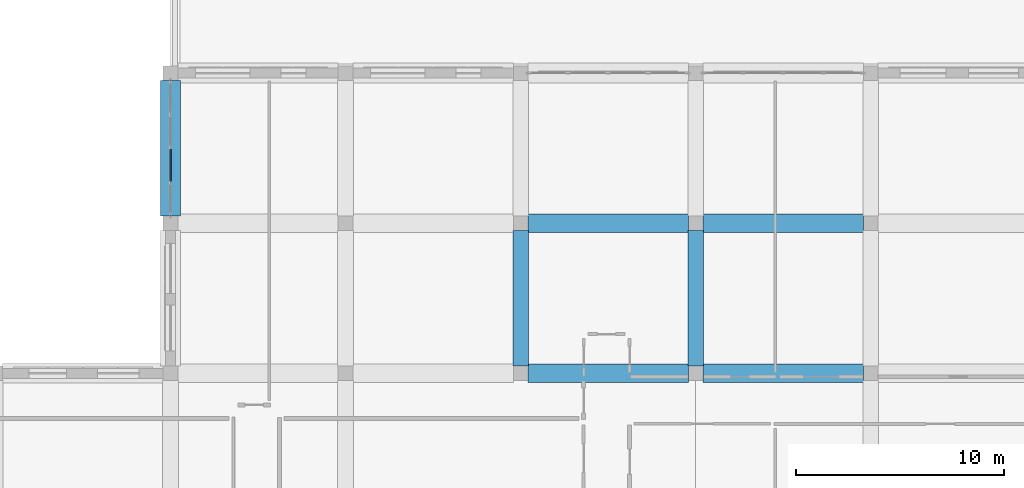
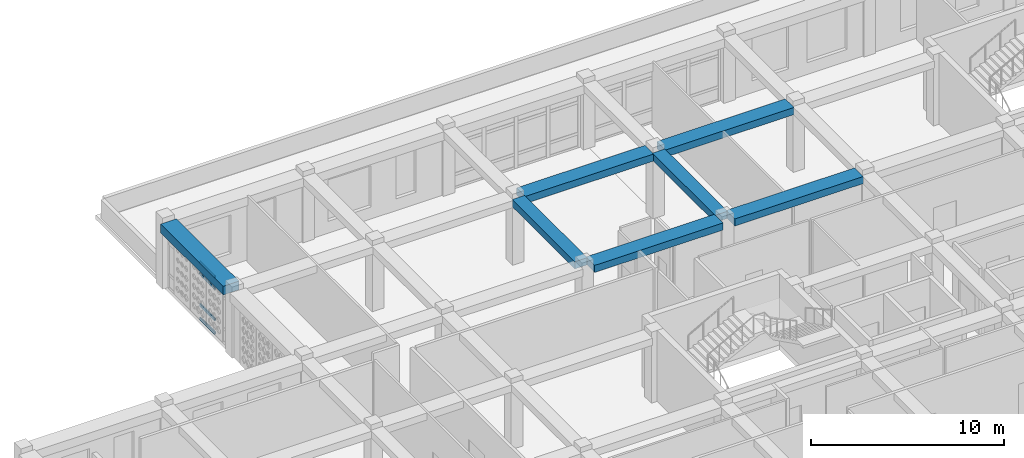
# One storey, part 30 of 100: 7 beams, 4 members, 1 element without a shape of its own.
"""IFC4 building model written with IfcOpenShell, lengths in metres."""

from ifc_helpers import new_model, si_unit, derived_unit, direction, frame, origin, origin_2d, place, context, subcontext, project, spatial, rectangle, hollow_rectangle, extrude, material, material_profile, profile_set, type_object, element, aggregate, save


model = new_model("IFC4")

# Units and contexts
model_context = context("Model", 3, precision=1e-05, world=origin(), true_north=direction((0.0, 1.0)))
body_context = subcontext(model_context, "Body", "Model", "MODEL_VIEW")
ifc_project = project(units=[si_unit("LENGTHUNIT", "METRE"), si_unit("AREAUNIT", "SQUARE_METRE"), si_unit("VOLUMEUNIT", "CUBIC_METRE"), si_unit("PLANEANGLEUNIT", "RADIAN"), si_unit("MASSUNIT", "GRAM", prefix="KILO"), derived_unit("THERMALTRANSMITTANCEUNIT", [(si_unit("POWERUNIT", "WATT"), 1), (si_unit("LENGTHUNIT", "METRE"), -2), (si_unit("THERMODYNAMICTEMPERATUREUNIT", "KELVIN"), -1)])], contexts=[model_context])

# Site, building, storey
site_placement = place(None, origin())
site = spatial("IfcSite", under=ifc_project, at=site_placement, CompositionType="ELEMENT")
building_placement = place(site_placement, origin())
building = spatial("IfcBuilding", under=site, at=building_placement, Name="Veybourne Emporium", CompositionType="ELEMENT")
storey_placement = place(building_placement, frame((0.0, 0.0, 14.39990234375)))
storey = spatial("IfcBuildingStorey", under=building, at=storey_placement, Name="L03", CompositionType="ELEMENT", Elevation=14.39990234375)

# Curtain wall, members
ifc_material_1 = material(Name="Patinated Architectural Bronze", Category="bronze")
curtain_wall_type = type_object("IfcCurtainWallType", Name="CWSystem_CWS-14", PredefinedType="NOTDEFINED", material=ifc_material_1)
curtain_wall_placement = place(storey_placement, origin())
curtain_wall = element("IfcCurtainWall", 1, at=curtain_wall_placement, inside=storey, type_object=curtain_wall_type, Name="L03 bronze glazed curtain wall CWS-14 (024)", PredefinedType="NOTDEFINED")
ifc_material_profile_1 = material_profile(ifc_material_1, hollow_rectangle(XDim=0.074951171875, YDim=0.179931640625, WallThickness=0.0048828125, InnerFilletRadius=0.007568359375, OuterFilletRadius=0.012451171875, at=origin_2d()), Name="CWT 75x180x5")
ifc_profile_set_1 = profile_set([ifc_material_profile_1], Name="Patinated Architectural Bronze")
member_type = type_object("IfcMemberType", Name="CWTransom_CW-T2", PredefinedType="NOTDEFINED", material=ifc_profile_set_1)
member_1_placement = place(storey_placement, frame((33.60009765625, 95.612548828125, 0.03759765625), z_axis=(0.0, 1.0, 0.0), x_axis=(-1.0, 0.0, 0.0)))
member_1 = element("IfcMember", 2, at=member_1_placement, type_object=member_type, Name="CWS-14 transom 2.1", ObjectType="TRANSOM", PredefinedType="USERDEFINED", context=body_context, shape_type="SweptSolid", body=[
    extrude(hollow_rectangle(XDim=0.074951171875, YDim=0.179931640625, WallThickness=0.0048828125, InnerFilletRadius=0.007568359375, OuterFilletRadius=0.012451171875, at=origin_2d()), origin(), (0.0, 0.0, 1.0), 1.550048828125),
])
member_2_placement = place(storey_placement, frame((33.60009765625, 95.612548828125, 0.900146484375), z_axis=(0.0, 1.0, 0.0), x_axis=(-1.0, 0.0, 0.0)))
member_2 = element("IfcMember", 3, at=member_2_placement, type_object=member_type, Name="CWS-14 transom 2.2", ObjectType="TRANSOM", PredefinedType="USERDEFINED", context=body_context, shape_type="SweptSolid", body=[
    extrude(hollow_rectangle(XDim=0.074951171875, YDim=0.179931640625, WallThickness=0.0048828125, InnerFilletRadius=0.007568359375, OuterFilletRadius=0.012451171875, at=origin_2d()), origin(), (0.0, 0.0, 1.0), 1.550048828125),
])
member_3_placement = place(storey_placement, frame((33.60009765625, 95.612548828125, 2.880126953125), z_axis=(0.0, 1.0, 0.0), x_axis=(-1.0, 0.0, 0.0)))
member_3 = element("IfcMember", 4, at=member_3_placement, type_object=member_type, Name="CWS-14 transom 2.3", ObjectType="TRANSOM", PredefinedType="USERDEFINED", context=body_context, shape_type="SweptSolid", body=[
    extrude(hollow_rectangle(XDim=0.074951171875, YDim=0.179931640625, WallThickness=0.0048828125, InnerFilletRadius=0.007568359375, OuterFilletRadius=0.012451171875, at=origin_2d()), origin(), (0.0, 0.0, 1.0), 1.550048828125),
])
member_4_placement = place(storey_placement, frame((33.60009765625, 95.612548828125, 3.592529296875), z_axis=(0.0, 1.0, 0.0), x_axis=(-1.0, 0.0, 0.0)))
member_4 = element("IfcMember", 5, at=member_4_placement, type_object=member_type, Name="CWS-14 transom 2.4", ObjectType="TRANSOM", PredefinedType="USERDEFINED", context=body_context, shape_type="SweptSolid", body=[
    extrude(hollow_rectangle(XDim=0.074951171875, YDim=0.179931640625, WallThickness=0.0048828125, InnerFilletRadius=0.007568359375, OuterFilletRadius=0.012451171875, at=origin_2d()), origin(), (0.0, 0.0, 1.0), 1.550048828125),
])
aggregate(curtain_wall, [member_1, member_2, member_3, member_4])

# Beams
ifc_material_2 = material(Name="Concrete C32/40", Category="concrete")
ifc_material_profile_2 = material_profile(ifc_material_2, rectangle(XDim=0.89990234375, YDim=0.449951171875, at=origin_2d()), Name="RC 900x450")
ifc_profile_set_2 = profile_set([ifc_material_profile_2], Name="Concrete C32/40")
beam_type_1 = type_object("IfcBeamType", Name="RCBeam_BB-03", PredefinedType="BEAM", material=ifc_profile_set_2)
for number, where, z_axis, x_axis, name in (
    (6, (50.75, 86.39990234375, 3.955078125), (1.0, 0.0, 0.0), (0.0, 1.0, 0.0), "L03 X-grid beam BB-03 (6,12)"),
    (7, (50.75, 93.60009765625, 3.955078125), (1.0, 0.0, 0.0), (0.0, 1.0, 0.0), "L03 X-grid beam BB-03 (6,13)"),
):
    element("IfcBeam", number, at=place(storey_placement, frame(where, z_axis=z_axis, x_axis=x_axis)), inside=storey, type_object=beam_type_1, Name=name, PredefinedType="BEAM", context=body_context, shape_type="SweptSolid", body=[
        extrude(rectangle(XDim=0.89990234375, YDim=0.449951171875, at=origin_2d()), origin(), (0.0, 0.0, 1.0), 7.699951171875),
    ])
for number, where, z_axis, x_axis, name in (
    (8, (59.14990234375, 86.39990234375, 3.955078125), (1.0, 0.0, 0.0), (0.0, 1.0, 0.0), "L03 X-grid beam BB-03 (7,12)"),
    (9, (59.14990234375, 93.60009765625, 3.955078125), (1.0, 0.0, 0.0), (0.0, 1.0, 0.0), "L03 X-grid beam BB-03 (7,13)"),
):
    element("IfcBeam", number, at=place(storey_placement, frame(where, z_axis=z_axis, x_axis=x_axis)), inside=storey, type_object=beam_type_1, Name=name, PredefinedType="BEAM", context=body_context, shape_type="SweptSolid", body=[
        extrude(rectangle(XDim=0.89990234375, YDim=0.449951171875, at=origin_2d()), origin(), (0.0, 0.0, 1.0), 7.7001953125),
    ])
ifc_material_profile_3 = material_profile(ifc_material_2, rectangle(XDim=0.75, YDim=0.449951171875, at=origin_2d()), Name="RC 750x450")
ifc_profile_set_3 = profile_set([ifc_material_profile_3], Name="Concrete C32/40")
beam_type_2 = type_object("IfcBeamType", Name="RCBeam_BB-04", PredefinedType="BEAM", material=ifc_profile_set_3)
for number, where, z_axis, x_axis, name in (
    (10, (50.39990234375, 86.75, 3.955078125), (0.0, 1.0, 0.0), (-1.0, 0.0, 0.0), "L03 Y-grid beam BB-04 (6,12)"),
    (11, (58.800048828125, 86.75, 3.955078125), (0.0, 1.0, 0.0), (-1.0, 0.0, 0.0), "L03 Y-grid beam BB-04 (7,12)"),
):
    element("IfcBeam", number, at=place(storey_placement, frame(where, z_axis=z_axis, x_axis=x_axis)), inside=storey, type_object=beam_type_2, Name=name, PredefinedType="BEAM", context=body_context, shape_type="SweptSolid", body=[
        extrude(rectangle(XDim=0.75, YDim=0.449951171875, at=origin_2d()), origin(), (0.0, 0.0, 1.0), 6.5),
    ])
ifc_material_profile_4 = material_profile(ifc_material_2, rectangle(XDim=0.949951171875, YDim=0.550048828125, at=origin_2d()), Name="RC 950x550")
ifc_profile_set_4 = profile_set([ifc_material_profile_4], Name="Concrete C32/40")
beam_type_3 = type_object("IfcBeamType", Name="RCBeam_EB-01", PredefinedType="SPANDREL", material=ifc_profile_set_4)
beam_placement = place(storey_placement, frame((33.60009765625, 93.949951171875, 3.905029296875), z_axis=(0.0, 1.0, 0.0), x_axis=(-1.0, 0.0, 0.0)))
element("IfcBeam", 12, at=beam_placement, inside=storey, type_object=beam_type_3, Name="L03 Y-grid beam EB-01 (4,13)", PredefinedType="SPANDREL", context=body_context, shape_type="SweptSolid", body=[
    extrude(rectangle(XDim=0.949951171875, YDim=0.550048828125, at=origin_2d()), origin(), (0.0, 0.0, 1.0), 6.5),
])

save(model, "model.ifc")
